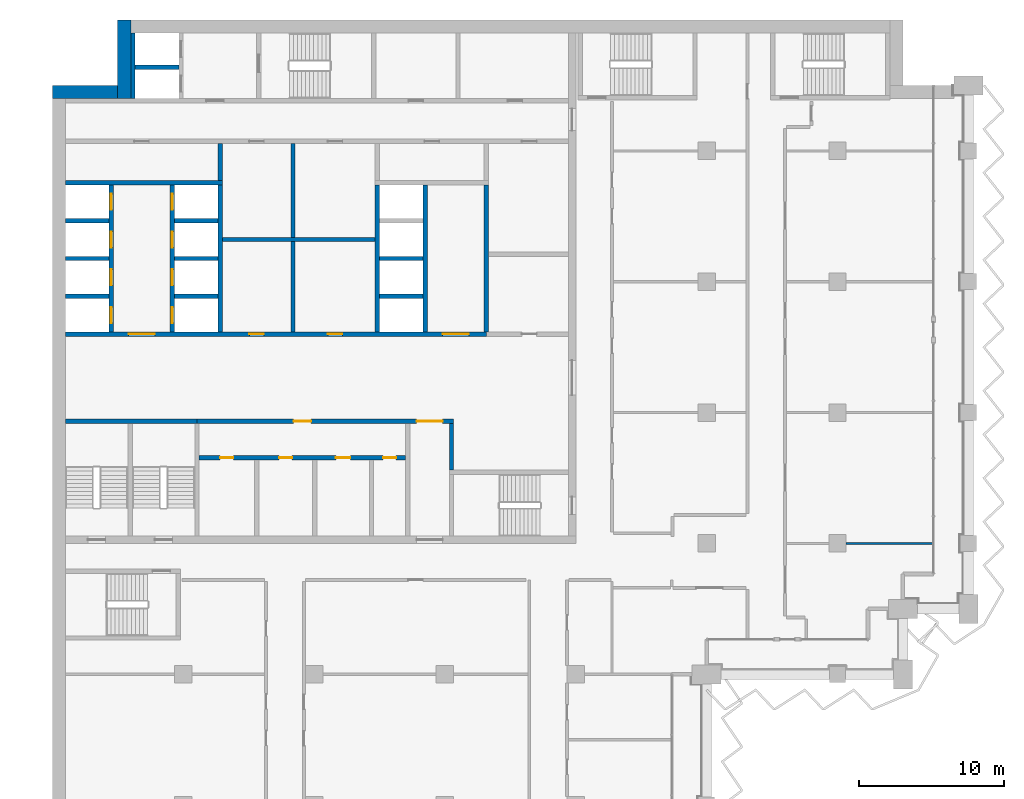
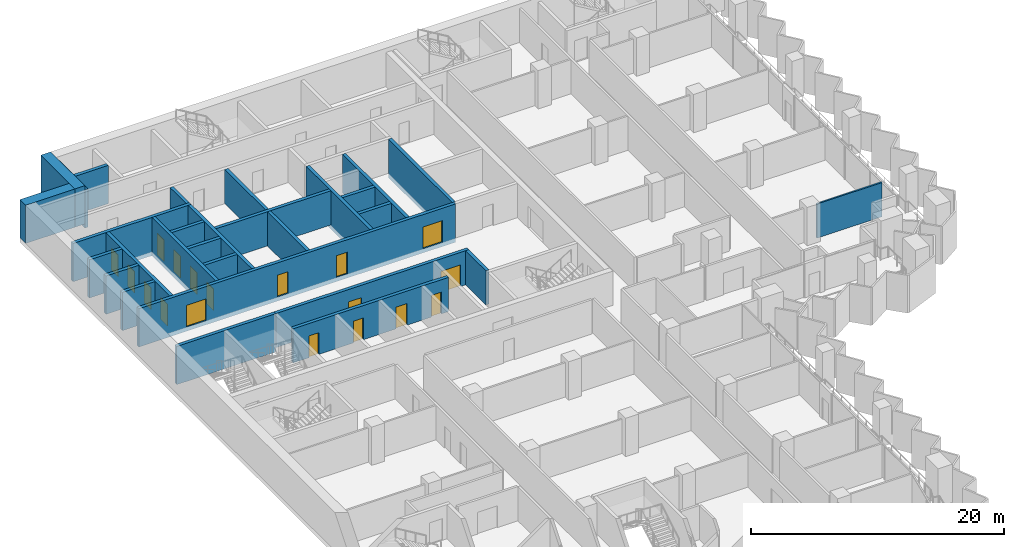
# One storey, part 12 of 22: 28 walls, 18 doors, 18 openings.
"""IFC4 building model written with IfcOpenShell, lengths in metres."""

from ifc_helpers import new_model, si_unit, direction, frame, frame_2d, origin, place, context, subcontext, project, spatial, rectangle, extrude, material, layer, layer_set, type_object, element, fill, save


model = new_model("IFC4")

# Units and contexts
model_context = context("Model", 3, precision=1e-05, world=origin(), true_north=direction((0.0, 1.0)))
body_context = subcontext(model_context, "Body", "Model", "MODEL_VIEW")
ifc_project = project(units=[si_unit("LENGTHUNIT", "METRE"), si_unit("AREAUNIT", "SQUARE_METRE"), si_unit("VOLUMEUNIT", "CUBIC_METRE"), si_unit("PLANEANGLEUNIT", "RADIAN"), si_unit("MASSUNIT", "GRAM", prefix="KILO")], contexts=[model_context])

# Site, building, storey
site_placement = place(None, origin())
site = spatial("IfcSite", under=ifc_project, at=site_placement, CompositionType="ELEMENT")
building_placement = place(site_placement, origin())
building = spatial("IfcBuilding", under=site, at=building_placement, Name="Hunhe Ridgeline Campus", CompositionType="ELEMENT")
storey_placement = place(building_placement, frame((0.0, 0.0, 141.199951171875)))
storey = spatial("IfcBuildingStorey", under=building, at=storey_placement, Name="L35", CompositionType="ELEMENT", Elevation=141.199951171875)

# Wall, openings, doors
ifc_material_1 = material(Name="Masonry concrete blockwork", Category="masonry")
ifc_layer_1 = layer(ifc_material_1, 0.300048828125)
ifc_layer_set_1 = layer_set([ifc_layer_1], Name="Core room partition 300 concrete block")
wall_type_1 = type_object("IfcWallType", Name="Core room partition 300 concrete block", PredefinedType="PARTITIONING", material=ifc_layer_set_1)
wall_1_placement = place(storey_placement, frame((10.10009765625, 68.89990234375, 0.0), z_axis=(0.0, 0.0, 1.0), x_axis=(1.0, 0.0, 0.0)))
wall_1 = element("IfcWall", 1, at=wall_1_placement, inside=storey, type_object=wall_type_1, Name="L35 core partition 9", PredefinedType="PARTITIONING", context=body_context, shape_type="SweptSolid", body=[
    extrude(rectangle(XDim=14.199951171875, YDim=0.300048828125, at=frame_2d((7.10009765625, 0.0))), origin(), (0.0, 0.0, 1.0), 3.300048828125),
])
opening_1_placement = place(wall_1_placement, frame((1.449951171875, 0.0, 0.0)))
opening_1 = element("IfcOpeningElement", 2, at=opening_1_placement, cuts=wall_1, Name="Opening CD8", PredefinedType="OPENING", context=body_context, shape_type="SweptSolid", body=[
    extrude(rectangle(XDim=0.89990234375, YDim=2.10009765625, at=frame_2d((0.449951171875, 1.050048828125))), frame((0.0, 0.14990234375, 0.0), z_axis=(0.0, -1.0, 0.0), x_axis=(1.0, 0.0, 0.0)), (0.0, 0.0, 1.0), 0.300048828125),
])
opening_2_placement = place(wall_1_placement, frame((5.5, 0.0, 0.0)))
opening_2 = element("IfcOpeningElement", 3, at=opening_2_placement, cuts=wall_1, Name="Opening CD9", PredefinedType="OPENING", context=body_context, shape_type="SweptSolid", body=[
    extrude(rectangle(XDim=0.89990234375, YDim=2.10009765625, at=frame_2d((0.449951171875, 1.050048828125))), frame((0.0, 0.14990234375, 0.0), z_axis=(0.0, -1.0, 0.0), x_axis=(1.0, 0.0, 0.0)), (0.0, 0.0, 1.0), 0.300048828125),
])
opening_3_placement = place(wall_1_placement, frame((9.39990234375, 0.0, 0.0)))
opening_3 = element("IfcOpeningElement", 4, at=opening_3_placement, cuts=wall_1, Name="Opening CD10", PredefinedType="OPENING", context=body_context, shape_type="SweptSolid", body=[
    extrude(rectangle(XDim=1.0, YDim=2.10009765625, at=frame_2d((0.5, 1.050048828125))), frame((0.0, 0.14990234375, 0.0), z_axis=(0.0, -1.0, 0.0), x_axis=(1.0, 0.0, 0.0)), (0.0, 0.0, 1.0), 0.300048828125),
])
opening_4_placement = place(wall_1_placement, frame((12.64990234375, 0.0, 0.0)))
opening_4 = element("IfcOpeningElement", 5, at=opening_4_placement, cuts=wall_1, Name="Opening CD11", PredefinedType="OPENING", context=body_context, shape_type="SweptSolid", body=[
    extrude(rectangle(XDim=0.89990234375, YDim=2.10009765625, at=frame_2d((0.449951171875, 1.050048828125))), frame((0.0, 0.14990234375, 0.0), z_axis=(0.0, -1.0, 0.0), x_axis=(1.0, 0.0, 0.0)), (0.0, 0.0, 1.0), 0.300048828125),
])
ifc_material_2 = material(Name="Solid core timber door leaf", Category="wood")
door_type_1 = type_object("IfcDoorType", Name="Timber door 1000x2100", OperationType="SINGLE_SWING_LEFT", PredefinedType="DOOR", material=ifc_material_2)
door_1_placement = place(opening_3_placement, frame((1.0, 0.0, 0.0), z_axis=(0.0, 0.0, 1.0), x_axis=(-1.0, 0.0, 0.0)))
door_1 = element("IfcDoor", 6, at=door_1_placement, inside=storey, type_object=door_type_1, Name="L35 door WC3", OperationType="SINGLE_SWING_RIGHT", OverallHeight=2.10009765625, OverallWidth=1.0, PredefinedType="DOOR", context=body_context, shape_type="SweptSolid", body=[
    extrude(rectangle(XDim=1.0, YDim=2.10009765625, at=frame_2d((0.5, 1.050048828125))), frame((0.0, 0.02490234375, 0.0), z_axis=(0.0, -1.0, 0.0), x_axis=(1.0, 0.0, 0.0)), (0.0, 0.0, 1.0), 0.050048828125),
])
fill(opening_3, door_1)
door_type_2 = type_object("IfcDoorType", Name="Timber door 900x2100", OperationType="SINGLE_SWING_LEFT", PredefinedType="DOOR", material=ifc_material_2)
door_2_placement = place(opening_1_placement, frame((0.89990234375, 0.0, 0.0), z_axis=(0.0, 0.0, 1.0), x_axis=(-1.0, 0.0, 0.0)))
door_2 = element("IfcDoor", 7, at=door_2_placement, inside=storey, type_object=door_type_2, Name="L35 door WC1", OperationType="SINGLE_SWING_RIGHT", OverallHeight=2.10009765625, OverallWidth=0.89990234375, PredefinedType="DOOR", context=body_context, shape_type="SweptSolid", body=[
    extrude(rectangle(XDim=0.89990234375, YDim=2.10009765625, at=frame_2d((0.449951171875, 1.050048828125))), frame((0.0, 0.02490234375, 0.0), z_axis=(0.0, -1.0, 0.0), x_axis=(1.0, 0.0, 0.0)), (0.0, 0.0, 1.0), 0.050048828125),
])
fill(opening_1, door_2)
door_3_placement = place(opening_2_placement, frame((0.89990234375, 0.0, 0.0), z_axis=(0.0, 0.0, 1.0), x_axis=(-1.0, 0.0, 0.0)))
door_3 = element("IfcDoor", 8, at=door_3_placement, inside=storey, type_object=door_type_2, Name="L35 door WC2", OperationType="SINGLE_SWING_LEFT", OverallHeight=2.10009765625, OverallWidth=0.89990234375, PredefinedType="DOOR", context=body_context, shape_type="SweptSolid", body=[
    extrude(rectangle(XDim=0.89990234375, YDim=2.10009765625, at=frame_2d((0.449951171875, 1.050048828125))), frame((0.0, 0.02490234375, 0.0), z_axis=(0.0, -1.0, 0.0), x_axis=(1.0, 0.0, 0.0)), (0.0, 0.0, 1.0), 0.050048828125),
])
fill(opening_2, door_3)
door_4_placement = place(opening_4_placement, frame((0.89990234375, 0.0, 0.0), z_axis=(0.0, 0.0, 1.0), x_axis=(-1.0, 0.0, 0.0)))
door_4 = element("IfcDoor", 9, at=door_4_placement, inside=storey, type_object=door_type_2, Name="L35 door WC4", OperationType="SINGLE_SWING_LEFT", OverallHeight=2.10009765625, OverallWidth=0.89990234375, PredefinedType="DOOR", context=body_context, shape_type="SweptSolid", body=[
    extrude(rectangle(XDim=0.89990234375, YDim=2.10009765625, at=frame_2d((0.449951171875, 1.050048828125))), frame((0.0, 0.02490234375, 0.0), z_axis=(0.0, -1.0, 0.0), x_axis=(1.0, 0.0, 0.0)), (0.0, 0.0, 1.0), 0.050048828125),
])
fill(opening_4, door_4)

wall_2_placement = place(storey_placement, frame((9.949951171875, 71.39990234375, 0.0), z_axis=(0.0, 0.0, 1.0), x_axis=(1.0, 0.0, 0.0)))
wall_2 = element("IfcWall", 10, at=wall_2_placement, inside=storey, type_object=wall_type_1, Name="L35 core partition 11", PredefinedType="PARTITIONING", context=body_context, shape_type="SweptSolid", body=[
    extrude(rectangle(XDim=17.650146484375, YDim=0.300048828125, at=frame_2d((8.8251953125, 0.0))), origin(), (0.0, 0.0, 1.0), 3.300048828125),
])
opening_5_placement = place(wall_2_placement, frame((15.10009765625, 0.0, 0.0)))
opening_5 = element("IfcOpeningElement", 11, at=opening_5_placement, cuts=wall_2, Name="Opening CD7", PredefinedType="OPENING", context=body_context, shape_type="SweptSolid", body=[
    extrude(rectangle(XDim=1.800048828125, YDim=2.10009765625, at=frame_2d((0.89990234375, 1.050048828125))), frame((0.0, 0.14990234375, 0.0), z_axis=(0.0, -1.0, 0.0), x_axis=(1.0, 0.0, 0.0)), (0.0, 0.0, 1.0), 0.300048828125),
])
opening_6_placement = place(wall_2_placement, frame((6.64990234375, 0.0, 0.0)))
opening_6 = element("IfcOpeningElement", 12, at=opening_6_placement, cuts=wall_2, Name="Opening CD37", PredefinedType="OPENING", context=body_context, shape_type="SweptSolid", body=[
    extrude(rectangle(XDim=1.199951171875, YDim=2.10009765625, at=frame_2d((0.60009765625, 1.050048828125))), frame((0.0, 0.14990234375, 0.0), z_axis=(0.0, -1.0, 0.0), x_axis=(1.0, 0.0, 0.0)), (0.0, 0.0, 1.0), 0.300048828125),
])
ifc_material_3 = material(Name="Anodised aluminium and glass", Category="aluminium")
door_type_3 = type_object("IfcDoorType", Name="Glazed double door 1800x2100", OperationType="DOUBLE_DOOR_SINGLE_SWING", PredefinedType="DOOR", material=ifc_material_3)
door_5_placement = place(opening_5_placement, origin())
door_5 = element("IfcDoor", 13, at=door_5_placement, inside=storey, type_object=door_type_3, Name="L35 door VEST-HALL", OperationType="DOUBLE_DOOR_SINGLE_SWING", OverallHeight=2.10009765625, OverallWidth=1.800048828125, PredefinedType="DOOR", context=body_context, shape_type="SweptSolid", body=[
    extrude(rectangle(XDim=1.800048828125, YDim=2.10009765625, at=frame_2d((0.89990234375, 1.050048828125))), frame((0.0, 0.02490234375, 0.0), z_axis=(0.0, -1.0, 0.0), x_axis=(1.0, 0.0, 0.0)), (0.0, 0.0, 1.0), 0.050048828125),
])
fill(opening_5, door_5)
door_type_4 = type_object("IfcDoorType", Name="Timber door 1200x2100", OperationType="SINGLE_SWING_LEFT", PredefinedType="DOOR", material=ifc_material_2)
door_6_placement = place(opening_6_placement, origin())
door_6 = element("IfcDoor", 14, at=door_6_placement, inside=storey, type_object=door_type_4, Name="L35 door WCL1-HALL", OperationType="SINGLE_SWING_LEFT", OverallHeight=2.10009765625, OverallWidth=1.199951171875, PredefinedType="DOOR", context=body_context, shape_type="SweptSolid", body=[
    extrude(rectangle(XDim=1.199951171875, YDim=2.10009765625, at=frame_2d((0.60009765625, 1.050048828125))), frame((0.0, 0.02490234375, 0.0), z_axis=(0.0, -1.0, 0.0), x_axis=(1.0, 0.0, 0.0)), (0.0, 0.0, 1.0), 0.050048828125),
])
fill(opening_6, door_6)

# Walls
wall_3_placement = place(storey_placement, frame((11.699951171875, 83.89990234375, 0.0), z_axis=(0.0, 0.0, 1.0), x_axis=(1.0, 0.0, 0.0)))
element("IfcWall", 15, at=wall_3_placement, inside=storey, type_object=wall_type_1, Name="L35 core partition 21", PredefinedType="PARTITIONING", context=body_context, shape_type="SweptSolid", body=[
    extrude(rectangle(XDim=10.5, YDim=0.300048828125, at=frame_2d((5.25, 0.0))), origin(), (0.0, 0.0, 1.0), 3.300048828125),
])
wall_4_placement = place(storey_placement, frame((11.550048828125, 87.949951171875, 0.0), z_axis=(0.0, 0.0, 1.0), x_axis=(0.0, 1.0, 0.0)))
element("IfcWall", 16, at=wall_4_placement, inside=storey, type_object=wall_type_1, Name="L35 core partition 41", PredefinedType="PARTITIONING", context=body_context, shape_type="SweptSolid", body=[
    extrude(rectangle(XDim=2.550048828125, YDim=0.300048828125, at=frame_2d((1.27490234375, 0.0))), origin(), (0.0, 0.0, 1.0), 3.300048828125),
])
wall_5_placement = place(storey_placement, frame((16.550048828125, 77.550048828125, 0.0), z_axis=(0.0, 0.0, 1.0), x_axis=(0.0, 1.0, 0.0)))
element("IfcWall", 17, at=wall_5_placement, inside=storey, type_object=wall_type_1, Name="L35 core partition 44", PredefinedType="PARTITIONING", context=body_context, shape_type="SweptSolid", body=[
    extrude(rectangle(XDim=12.949951171875, YDim=0.300048828125, at=frame_2d((6.47509765625, 0.0))), origin(), (0.0, 0.0, 1.0), 3.300048828125),
])
wall_6_placement = place(storey_placement, frame((27.449951171875, 68.050048828125, 0.0), z_axis=(0.0, 0.0, 1.0), x_axis=(0.0, 1.0, 0.0)))
element("IfcWall", 18, at=wall_6_placement, inside=storey, type_object=wall_type_1, Name="L35 core partition 55", PredefinedType="PARTITIONING", context=body_context, shape_type="SweptSolid", body=[
    extrude(rectangle(XDim=3.199951171875, YDim=0.300048828125, at=frame_2d((1.60009765625, 0.0))), origin(), (0.0, 0.0, 1.0), 3.300048828125),
])
ifc_material_4 = material(Name="Concrete C70", Category="concrete")
ifc_layer_2 = layer(ifc_material_4, 0.300048828125)
ifc_layer_set_2 = layer_set([ifc_layer_2], Name="Lobby wall 300 reinforced concrete C70")
wall_type_2 = type_object("IfcWallType", Name="Lobby wall 300 reinforced concrete C70", PredefinedType="SOLIDWALL", material=ifc_layer_set_2)
wall_7_placement = place(storey_placement, frame((29.85009765625, 77.550048828125, -0.39990234375), z_axis=(0.0, 0.0, 1.0), x_axis=(0.0, 1.0, 0.0)))
element("IfcWall", 19, at=wall_7_placement, inside=storey, type_object=wall_type_2, Name="L35 core wall 57", PredefinedType="SOLIDWALL", context=body_context, shape_type="SweptSolid", body=[
    extrude(rectangle(XDim=10.099853515625, YDim=0.300048828125, at=frame_2d((5.0498046875, 0.0))), origin(), (0.0, 0.0, 1.0), 3.699951171875),
])
ifc_material_5 = material(Name="Gypsum board partition")
ifc_layer_3 = layer(ifc_material_5, 0.14990234375)
ifc_layer_set_3 = layer_set([ifc_layer_3], Name="Room partition 150 gypsum board on steel studs")
wall_type_3 = type_object("IfcWallType", Name="Room partition 150 gypsum board on steel studs", PredefinedType="PARTITIONING", material=ifc_layer_set_3)
wall_8_placement = place(storey_placement, frame((54.60009765625, 63.0, 0.0), z_axis=(0.0, 0.0, 1.0), x_axis=(1.0, 0.0, 0.0)))
element("IfcWall", 20, at=wall_8_placement, inside=storey, type_object=wall_type_3, Name="F-L35-wall-043", PredefinedType="PARTITIONING", context=body_context, shape_type="SweptSolid", body=[
    extrude(rectangle(XDim=5.94482421875, YDim=0.14990234375, at=frame_2d((2.972412109375, 0.0))), origin(), (0.0, 0.0, 1.0), 3.300048828125),
])

# Wall, openings, doors
ifc_layer_4 = layer(ifc_material_4, 0.300048828125)
ifc_layer_set_4 = layer_set([ifc_layer_4], Name="Shaft wall 300 reinforced concrete C70")
wall_type_4 = type_object("IfcWallType", Name="Shaft wall 300 reinforced concrete C70", PredefinedType="SOLIDWALL", material=ifc_layer_set_4)
wall_9_placement = place(storey_placement, frame((0.89990234375, 77.39990234375, -0.39990234375), z_axis=(0.0, 0.0, 1.0), x_axis=(1.0, 0.0, 0.0)))
wall_9 = element("IfcWall", 21, at=wall_9_placement, inside=storey, type_object=wall_type_4, Name="L35 core wall 12", PredefinedType="SOLIDWALL", context=body_context, shape_type="SweptSolid", body=[
    extrude(rectangle(XDim=28.9501953125, YDim=0.300048828125, at=frame_2d((14.47509765625, 0.0))), origin(), (0.0, 0.0, 1.0), 3.699951171875),
])
opening_7_placement = place(wall_9_placement, frame((4.35009765625, 0.0, 0.39990234375)))
opening_7 = element("IfcOpeningElement", 22, at=opening_7_placement, cuts=wall_9, Name="Opening CD1", PredefinedType="OPENING", context=body_context, shape_type="SweptSolid", body=[
    extrude(rectangle(XDim=1.800048828125, YDim=2.10009765625, at=frame_2d((0.89990234375, 1.050048828125))), frame((0.0, 0.14990234375, 0.0), z_axis=(0.0, -1.0, 0.0), x_axis=(1.0, 0.0, 0.0)), (0.0, 0.0, 1.0), 0.300048828125),
])
opening_8_placement = place(wall_9_placement, frame((25.949951171875, 0.0, 0.39990234375)))
opening_8 = element("IfcOpeningElement", 23, at=opening_8_placement, cuts=wall_9, Name="Opening CD2", PredefinedType="OPENING", context=body_context, shape_type="SweptSolid", body=[
    extrude(rectangle(XDim=1.800048828125, YDim=2.10009765625, at=frame_2d((0.89990234375, 1.050048828125))), frame((0.0, 0.14990234375, 0.0), z_axis=(0.0, -1.0, 0.0), x_axis=(1.0, 0.0, 0.0)), (0.0, 0.0, 1.0), 0.300048828125),
])
opening_9_placement = place(wall_9_placement, frame((12.64990234375, 0.0, 0.39990234375)))
opening_9 = element("IfcOpeningElement", 24, at=opening_9_placement, cuts=wall_9, Name="Opening CD28", PredefinedType="OPENING", context=body_context, shape_type="SweptSolid", body=[
    extrude(rectangle(XDim=1.0, YDim=2.10009765625, at=frame_2d((0.5, 1.050048828125))), frame((0.0, 0.14990234375, 0.0), z_axis=(0.0, -1.0, 0.0), x_axis=(1.0, 0.0, 0.0)), (0.0, 0.0, 1.0), 0.300048828125),
])
opening_10_placement = place(wall_9_placement, frame((18.050048828125, 0.0, 0.39990234375)))
opening_10 = element("IfcOpeningElement", 25, at=opening_10_placement, cuts=wall_9, Name="Opening CD30", PredefinedType="OPENING", context=body_context, shape_type="SweptSolid", body=[
    extrude(rectangle(XDim=1.0, YDim=2.10009765625, at=frame_2d((0.5, 1.050048828125))), frame((0.0, 0.14990234375, 0.0), z_axis=(0.0, -1.0, 0.0), x_axis=(1.0, 0.0, 0.0)), (0.0, 0.0, 1.0), 0.300048828125),
])
ifc_material_6 = material(Name="Hollow metal fire door leaf")
door_type_5 = type_object("IfcDoorType", Name="Lobby door 1800x2100 FD60", OperationType="SINGLE_SWING_LEFT", PredefinedType="DOOR", material=ifc_material_6)
door_7_placement = place(opening_7_placement, frame((1.800048828125, 0.0, 0.0), z_axis=(0.0, 0.0, 1.0), x_axis=(-1.0, 0.0, 0.0)))
door_7 = element("IfcDoor", 26, at=door_7_placement, inside=storey, type_object=door_type_5, Name="L35 door LOB-LR", OperationType="SINGLE_SWING_RIGHT", OverallHeight=2.10009765625, OverallWidth=1.800048828125, PredefinedType="DOOR", context=body_context, shape_type="SweptSolid", body=[
    extrude(rectangle(XDim=1.800048828125, YDim=2.10009765625, at=frame_2d((0.89990234375, 1.050048828125))), frame((0.0, 0.02490234375, 0.0), z_axis=(0.0, -1.0, 0.0), x_axis=(1.0, 0.0, 0.0)), (0.0, 0.0, 1.0), 0.050048828125),
])
fill(opening_7, door_7)
door_8_placement = place(opening_8_placement, frame((1.800048828125, 0.0, 0.0), z_axis=(0.0, 0.0, 1.0), x_axis=(-1.0, 0.0, 0.0)))
door_8 = element("IfcDoor", 27, at=door_8_placement, inside=storey, type_object=door_type_5, Name="L35 door LOB-SH", OperationType="SINGLE_SWING_LEFT", OverallHeight=2.10009765625, OverallWidth=1.800048828125, PredefinedType="DOOR", context=body_context, shape_type="SweptSolid", body=[
    extrude(rectangle(XDim=1.800048828125, YDim=2.10009765625, at=frame_2d((0.89990234375, 1.050048828125))), frame((0.0, 0.02490234375, 0.0), z_axis=(0.0, -1.0, 0.0), x_axis=(1.0, 0.0, 0.0)), (0.0, 0.0, 1.0), 0.050048828125),
])
fill(opening_8, door_8)
door_9_placement = place(opening_9_placement, origin())
door_9 = element("IfcDoor", 28, at=door_9_placement, inside=storey, type_object=door_type_1, Name="L35 door VD-HR0", OperationType="SINGLE_SWING_RIGHT", OverallHeight=2.10009765625, OverallWidth=1.0, PredefinedType="DOOR", context=body_context, shape_type="SweptSolid", body=[
    extrude(rectangle(XDim=1.0, YDim=2.10009765625, at=frame_2d((0.5, 1.050048828125))), frame((0.0, 0.02490234375, 0.0), z_axis=(0.0, -1.0, 0.0), x_axis=(1.0, 0.0, 0.0)), (0.0, 0.0, 1.0), 0.050048828125),
])
fill(opening_9, door_9)
door_10_placement = place(opening_10_placement, origin())
door_10 = element("IfcDoor", 29, at=door_10_placement, inside=storey, type_object=door_type_1, Name="L35 door VD-HR2", OperationType="SINGLE_SWING_RIGHT", OverallHeight=2.10009765625, OverallWidth=1.0, PredefinedType="DOOR", context=body_context, shape_type="SweptSolid", body=[
    extrude(rectangle(XDim=1.0, YDim=2.10009765625, at=frame_2d((0.5, 1.050048828125))), frame((0.0, 0.02490234375, 0.0), z_axis=(0.0, -1.0, 0.0), x_axis=(1.0, 0.0, 0.0)), (0.0, 0.0, 1.0), 0.050048828125),
])
fill(opening_10, door_10)

# Walls
for number, where, z_axis, x_axis, name in (
    (30, (0.89990234375, 80.0, -0.39990234375), (0.0, 0.0, 1.0), (1.0, 0.0, 0.0), "L35 core wall 14"),
    (31, (8.39990234375, 80.0, -0.39990234375), (0.0, 0.0, 1.0), (1.0, 0.0, 0.0), "L35 core wall 15"),
    (32, (22.5, 80.0, -0.39990234375), (0.0, 0.0, 1.0), (1.0, 0.0, 0.0), "L35 core wall 16"),
    (33, (0.89990234375, 82.60009765625, -0.39990234375), (0.0, 0.0, 1.0), (1.0, 0.0, 0.0), "L35 core wall 17"),
    (34, (8.39990234375, 82.60009765625, -0.39990234375), (0.0, 0.0, 1.0), (1.0, 0.0, 0.0), "L35 core wall 18"),
    (35, (22.5, 82.60009765625, -0.39990234375), (0.0, 0.0, 1.0), (1.0, 0.0, 0.0), "L35 core wall 19"),
    (36, (0.89990234375, 85.199951171875, -0.39990234375), (0.0, 0.0, 1.0), (1.0, 0.0, 0.0), "L35 core wall 22"),
    (37, (8.39990234375, 85.199951171875, -0.39990234375), (0.0, 0.0, 1.0), (1.0, 0.0, 0.0), "L35 core wall 23"),
):
    element("IfcWall", number, at=place(storey_placement, frame(where, z_axis=z_axis, x_axis=x_axis)), inside=storey, type_object=wall_type_4, Name=name, PredefinedType="SOLIDWALL", context=body_context, shape_type="SweptSolid", body=[
        extrude(rectangle(XDim=3.0, YDim=0.300048828125, at=frame_2d((1.5, 0.0))), origin(), (0.0, 0.0, 1.0), 3.699951171875),
    ])
wall_10_placement = place(storey_placement, frame((0.89990234375, 87.800048828125, -0.39990234375), z_axis=(0.0, 0.0, 1.0), x_axis=(1.0, 0.0, 0.0)))
element("IfcWall", 38, at=wall_10_placement, inside=storey, type_object=wall_type_4, Name="L35 core wall 25", PredefinedType="SOLIDWALL", context=body_context, shape_type="SweptSolid", body=[
    extrude(rectangle(XDim=10.800048828125, YDim=0.300048828125, at=frame_2d((5.39990234375, 0.0))), origin(), (0.0, 0.0, 1.0), 3.699951171875),
])
wall_11_placement = place(storey_placement, frame((5.699951171875, 95.75, -0.39990234375), z_axis=(0.0, 0.0, 1.0), x_axis=(1.0, 0.0, 0.0)))
element("IfcWall", 39, at=wall_11_placement, inside=storey, type_object=wall_type_4, Name="L35 core wall 31", PredefinedType="SOLIDWALL", context=body_context, shape_type="SweptSolid", body=[
    extrude(rectangle(XDim=3.0, YDim=0.300048828125, at=frame_2d((1.5, 0.0))), origin(), (0.0, 0.0, 1.0), 3.699951171875),
])

# Wall, openings, doors
wall_12_placement = place(storey_placement, frame((4.050048828125, 77.550048828125, -0.39990234375), z_axis=(0.0, 0.0, 1.0), x_axis=(0.0, 1.0, 0.0)))
wall_12 = element("IfcWall", 40, at=wall_12_placement, inside=storey, type_object=wall_type_4, Name="L35 core wall 32", PredefinedType="SOLIDWALL", context=body_context, shape_type="SweptSolid", body=[
    extrude(rectangle(XDim=10.099853515625, YDim=0.300048828125, at=frame_2d((5.0498046875, 0.0))), origin(), (0.0, 0.0, 1.0), 3.699951171875),
])
opening_11_placement = place(wall_12_placement, frame((0.60009765625, 0.0, 0.39990234375)))
opening_11 = element("IfcOpeningElement", 41, at=opening_11_placement, cuts=wall_12, Name="Opening LD-LR1", PredefinedType="OPENING", context=body_context, shape_type="SweptSolid", body=[
    extrude(rectangle(XDim=1.10009765625, YDim=2.10009765625, at=frame_2d((0.550048828125, 1.050048828125))), frame((0.0, 0.14990234375, 0.0), z_axis=(0.0, -1.0, 0.0), x_axis=(1.0, 0.0, 0.0)), (0.0, 0.0, 1.0), 0.300048828125),
])
opening_12_placement = place(wall_12_placement, frame((3.199951171875, 0.0, 0.39990234375)))
opening_12 = element("IfcOpeningElement", 42, at=opening_12_placement, cuts=wall_12, Name="Opening LD-LR2", PredefinedType="OPENING", context=body_context, shape_type="SweptSolid", body=[
    extrude(rectangle(XDim=1.10009765625, YDim=2.10009765625, at=frame_2d((0.550048828125, 1.050048828125))), frame((0.0, 0.14990234375, 0.0), z_axis=(0.0, -1.0, 0.0), x_axis=(1.0, 0.0, 0.0)), (0.0, 0.0, 1.0), 0.300048828125),
])
opening_13_placement = place(wall_12_placement, frame((5.800048828125, 0.0, 0.39990234375)))
opening_13 = element("IfcOpeningElement", 43, at=opening_13_placement, cuts=wall_12, Name="Opening LD-LR3", PredefinedType="OPENING", context=body_context, shape_type="SweptSolid", body=[
    extrude(rectangle(XDim=1.10009765625, YDim=2.10009765625, at=frame_2d((0.550048828125, 1.050048828125))), frame((0.0, 0.14990234375, 0.0), z_axis=(0.0, -1.0, 0.0), x_axis=(1.0, 0.0, 0.0)), (0.0, 0.0, 1.0), 0.300048828125),
])
opening_14_placement = place(wall_12_placement, frame((8.39990234375, 0.0, 0.39990234375)))
opening_14 = element("IfcOpeningElement", 44, at=opening_14_placement, cuts=wall_12, Name="Opening LD-LR4", PredefinedType="OPENING", context=body_context, shape_type="SweptSolid", body=[
    extrude(rectangle(XDim=1.10009765625, YDim=2.10009765625, at=frame_2d((0.550048828125, 1.050048828125))), frame((0.0, 0.14990234375, 0.0), z_axis=(0.0, -1.0, 0.0), x_axis=(1.0, 0.0, 0.0)), (0.0, 0.0, 1.0), 0.300048828125),
])
ifc_material_7 = material(Name="Stainless steel sliding leaves", Category="steel")
door_type_6 = type_object("IfcDoorType", Name="Landing door 1100x2100 FD120", OperationType="SLIDING_TO_LEFT", PredefinedType="DOOR", material=ifc_material_7)
door_11_placement = place(opening_11_placement, origin())
door_11 = element("IfcDoor", 45, at=door_11_placement, inside=storey, type_object=door_type_6, Name="L35 landing door LR1", OperationType="SLIDING_TO_RIGHT", OverallHeight=2.10009765625, OverallWidth=1.10009765625, PredefinedType="DOOR", context=body_context, shape_type="SweptSolid", body=[
    extrude(rectangle(XDim=1.10009765625, YDim=2.10009765625, at=frame_2d((0.550048828125, 1.050048828125))), frame((0.0, 0.02490234375, 0.0), z_axis=(0.0, -1.0, 0.0), x_axis=(1.0, 0.0, 0.0)), (0.0, 0.0, 1.0), 0.050048828125),
])
fill(opening_11, door_11)
door_12_placement = place(opening_12_placement, origin())
door_12 = element("IfcDoor", 46, at=door_12_placement, inside=storey, type_object=door_type_6, Name="L35 landing door LR2", OperationType="SLIDING_TO_LEFT", OverallHeight=2.10009765625, OverallWidth=1.10009765625, PredefinedType="DOOR", context=body_context, shape_type="SweptSolid", body=[
    extrude(rectangle(XDim=1.10009765625, YDim=2.10009765625, at=frame_2d((0.550048828125, 1.050048828125))), frame((0.0, 0.02490234375, 0.0), z_axis=(0.0, -1.0, 0.0), x_axis=(1.0, 0.0, 0.0)), (0.0, 0.0, 1.0), 0.050048828125),
])
fill(opening_12, door_12)
door_13_placement = place(opening_13_placement, origin())
door_13 = element("IfcDoor", 47, at=door_13_placement, inside=storey, type_object=door_type_6, Name="L35 landing door LR3", OperationType="SLIDING_TO_RIGHT", OverallHeight=2.10009765625, OverallWidth=1.10009765625, PredefinedType="DOOR", context=body_context, shape_type="SweptSolid", body=[
    extrude(rectangle(XDim=1.10009765625, YDim=2.10009765625, at=frame_2d((0.550048828125, 1.050048828125))), frame((0.0, 0.02490234375, 0.0), z_axis=(0.0, -1.0, 0.0), x_axis=(1.0, 0.0, 0.0)), (0.0, 0.0, 1.0), 0.050048828125),
])
fill(opening_13, door_13)
door_14_placement = place(opening_14_placement, origin())
door_14 = element("IfcDoor", 48, at=door_14_placement, inside=storey, type_object=door_type_6, Name="L35 landing door LR4", OperationType="SLIDING_TO_LEFT", OverallHeight=2.10009765625, OverallWidth=1.10009765625, PredefinedType="DOOR", context=body_context, shape_type="SweptSolid", body=[
    extrude(rectangle(XDim=1.10009765625, YDim=2.10009765625, at=frame_2d((0.550048828125, 1.050048828125))), frame((0.0, 0.02490234375, 0.0), z_axis=(0.0, -1.0, 0.0), x_axis=(1.0, 0.0, 0.0)), (0.0, 0.0, 1.0), 0.050048828125),
])
fill(opening_14, door_14)

# Wall
wall_13_placement = place(storey_placement, frame((5.550048828125, 93.60009765625, -0.39990234375), z_axis=(0.0, 0.0, 1.0), x_axis=(0.0, 1.0, 0.0)))
element("IfcWall", 49, at=wall_13_placement, inside=storey, type_object=wall_type_4, Name="L35 core wall 34", PredefinedType="SOLIDWALL", context=body_context, shape_type="SweptSolid", body=[
    extrude(rectangle(XDim=4.5, YDim=0.300048828125, at=frame_2d((2.25, 0.0))), origin(), (0.0, 0.0, 1.0), 3.699951171875),
])

# Wall, openings, doors
wall_14_placement = place(storey_placement, frame((8.25, 77.550048828125, -0.39990234375), z_axis=(0.0, 0.0, 1.0), x_axis=(0.0, 1.0, 0.0)))
wall_14 = element("IfcWall", 50, at=wall_14_placement, inside=storey, type_object=wall_type_4, Name="L35 core wall 35", PredefinedType="SOLIDWALL", context=body_context, shape_type="SweptSolid", body=[
    extrude(rectangle(XDim=10.099853515625, YDim=0.300048828125, at=frame_2d((5.0498046875, 0.0))), origin(), (0.0, 0.0, 1.0), 3.699951171875),
])
opening_15_placement = place(wall_14_placement, frame((0.60009765625, 0.0, 0.39990234375)))
opening_15 = element("IfcOpeningElement", 51, at=opening_15_placement, cuts=wall_14, Name="Opening LD-LR5", PredefinedType="OPENING", context=body_context, shape_type="SweptSolid", body=[
    extrude(rectangle(XDim=1.10009765625, YDim=2.10009765625, at=frame_2d((0.550048828125, 1.050048828125))), frame((0.0, 0.14990234375, 0.0), z_axis=(0.0, -1.0, 0.0), x_axis=(1.0, 0.0, 0.0)), (0.0, 0.0, 1.0), 0.300048828125),
])
opening_16_placement = place(wall_14_placement, frame((3.199951171875, 0.0, 0.39990234375)))
opening_16 = element("IfcOpeningElement", 52, at=opening_16_placement, cuts=wall_14, Name="Opening LD-LR6", PredefinedType="OPENING", context=body_context, shape_type="SweptSolid", body=[
    extrude(rectangle(XDim=1.10009765625, YDim=2.10009765625, at=frame_2d((0.550048828125, 1.050048828125))), frame((0.0, 0.14990234375, 0.0), z_axis=(0.0, -1.0, 0.0), x_axis=(1.0, 0.0, 0.0)), (0.0, 0.0, 1.0), 0.300048828125),
])
opening_17_placement = place(wall_14_placement, frame((5.800048828125, 0.0, 0.39990234375)))
opening_17 = element("IfcOpeningElement", 53, at=opening_17_placement, cuts=wall_14, Name="Opening LD-LR7", PredefinedType="OPENING", context=body_context, shape_type="SweptSolid", body=[
    extrude(rectangle(XDim=1.10009765625, YDim=2.10009765625, at=frame_2d((0.550048828125, 1.050048828125))), frame((0.0, 0.14990234375, 0.0), z_axis=(0.0, -1.0, 0.0), x_axis=(1.0, 0.0, 0.0)), (0.0, 0.0, 1.0), 0.300048828125),
])
opening_18_placement = place(wall_14_placement, frame((8.39990234375, 0.0, 0.39990234375)))
opening_18 = element("IfcOpeningElement", 54, at=opening_18_placement, cuts=wall_14, Name="Opening LD-LR8", PredefinedType="OPENING", context=body_context, shape_type="SweptSolid", body=[
    extrude(rectangle(XDim=1.10009765625, YDim=2.10009765625, at=frame_2d((0.550048828125, 1.050048828125))), frame((0.0, 0.14990234375, 0.0), z_axis=(0.0, -1.0, 0.0), x_axis=(1.0, 0.0, 0.0)), (0.0, 0.0, 1.0), 0.300048828125),
])
door_15_placement = place(opening_15_placement, origin())
door_15 = element("IfcDoor", 55, at=door_15_placement, inside=storey, type_object=door_type_6, Name="L35 landing door LR5", OperationType="SLIDING_TO_RIGHT", OverallHeight=2.10009765625, OverallWidth=1.10009765625, PredefinedType="DOOR", context=body_context, shape_type="SweptSolid", body=[
    extrude(rectangle(XDim=1.10009765625, YDim=2.10009765625, at=frame_2d((0.550048828125, 1.050048828125))), frame((0.0, 0.02490234375, 0.0), z_axis=(0.0, -1.0, 0.0), x_axis=(1.0, 0.0, 0.0)), (0.0, 0.0, 1.0), 0.050048828125),
])
fill(opening_15, door_15)
door_16_placement = place(opening_16_placement, origin())
door_16 = element("IfcDoor", 56, at=door_16_placement, inside=storey, type_object=door_type_6, Name="L35 landing door LR6", OperationType="SLIDING_TO_LEFT", OverallHeight=2.10009765625, OverallWidth=1.10009765625, PredefinedType="DOOR", context=body_context, shape_type="SweptSolid", body=[
    extrude(rectangle(XDim=1.10009765625, YDim=2.10009765625, at=frame_2d((0.550048828125, 1.050048828125))), frame((0.0, 0.02490234375, 0.0), z_axis=(0.0, -1.0, 0.0), x_axis=(1.0, 0.0, 0.0)), (0.0, 0.0, 1.0), 0.050048828125),
])
fill(opening_16, door_16)
door_17_placement = place(opening_17_placement, origin())
door_17 = element("IfcDoor", 57, at=door_17_placement, inside=storey, type_object=door_type_6, Name="L35 landing door LR7", OperationType="SLIDING_TO_RIGHT", OverallHeight=2.10009765625, OverallWidth=1.10009765625, PredefinedType="DOOR", context=body_context, shape_type="SweptSolid", body=[
    extrude(rectangle(XDim=1.10009765625, YDim=2.10009765625, at=frame_2d((0.550048828125, 1.050048828125))), frame((0.0, 0.02490234375, 0.0), z_axis=(0.0, -1.0, 0.0), x_axis=(1.0, 0.0, 0.0)), (0.0, 0.0, 1.0), 0.050048828125),
])
fill(opening_17, door_17)
door_18_placement = place(opening_18_placement, origin())
door_18 = element("IfcDoor", 58, at=door_18_placement, inside=storey, type_object=door_type_6, Name="L35 landing door LR8", OperationType="SLIDING_TO_LEFT", OverallHeight=2.10009765625, OverallWidth=1.10009765625, PredefinedType="DOOR", context=body_context, shape_type="SweptSolid", body=[
    extrude(rectangle(XDim=1.10009765625, YDim=2.10009765625, at=frame_2d((0.550048828125, 1.050048828125))), frame((0.0, 0.02490234375, 0.0), z_axis=(0.0, -1.0, 0.0), x_axis=(1.0, 0.0, 0.0)), (0.0, 0.0, 1.0), 0.050048828125),
])
fill(opening_18, door_18)

# Walls
for number, where, z_axis, x_axis, name in (
    (59, (11.550048828125, 77.550048828125, -0.39990234375), (0.0, 0.0, 1.0), (0.0, 1.0, 0.0), "L35 core wall 40"),
    (60, (22.35009765625, 77.550048828125, -0.39990234375), (0.0, 0.0, 1.0), (0.0, 1.0, 0.0), "L35 core wall 49"),
    (61, (25.64990234375, 77.550048828125, -0.39990234375), (0.0, 0.0, 1.0), (0.0, 1.0, 0.0), "L35 core wall 53"),
):
    element("IfcWall", number, at=place(storey_placement, frame(where, z_axis=z_axis, x_axis=x_axis)), inside=storey, type_object=wall_type_4, Name=name, PredefinedType="SOLIDWALL", context=body_context, shape_type="SweptSolid", body=[
        extrude(rectangle(XDim=10.099853515625, YDim=0.300048828125, at=frame_2d((5.0498046875, 0.0))), origin(), (0.0, 0.0, 1.0), 3.699951171875),
    ])
ifc_layer_5 = layer(ifc_material_4, 0.89990234375)
ifc_layer_set_5 = layer_set([ifc_layer_5], Name="Spine wall 900 Concrete C70")
wall_type_5 = type_object("IfcWallType", Name="Spine wall 900 Concrete C70", PredefinedType="SHEAR", material=ifc_layer_set_5)
for number, where, z_axis, x_axis, name in (
    (62, (4.949951171875, 99.0, 0.0), (0.0, 0.0, 1.0), (0.0, -1.0, 0.0), "Spine wall SW2-5 L35"),
    (63, (5.400146484375, 94.050048828125, 0.0), (0.0, 0.0, 1.0), (-1.0, 0.0, 0.0), "Spine wall SW2-6 L35"),
):
    element("IfcWall", number, at=place(storey_placement, frame(where, z_axis=z_axis, x_axis=x_axis)), inside=storey, type_object=wall_type_5, Name=name, PredefinedType="SHEAR", context=body_context, shape_type="SweptSolid", body=[
        extrude(rectangle(XDim=5.400146484375, YDim=0.89990234375, at=frame_2d((2.7001953125, 0.0))), origin(), (0.0, 0.0, 1.0), 3.699951171875),
    ])
ifc_layer_6 = layer(ifc_material_4, 0.300048828125)
ifc_layer_set_6 = layer_set([ifc_layer_6], Name="Stair wall 300 reinforced concrete C70")
wall_type_6 = type_object("IfcWallType", Name="Stair wall 300 reinforced concrete C70", PredefinedType="SOLIDWALL", material=ifc_layer_set_6)
wall_15_placement = place(storey_placement, frame((0.89990234375, 71.39990234375, -0.39990234375), z_axis=(0.0, 0.0, 1.0), x_axis=(1.0, 0.0, 0.0)))
element("IfcWall", 64, at=wall_15_placement, inside=storey, type_object=wall_type_6, Name="L35 core wall 10", PredefinedType="SOLIDWALL", context=body_context, shape_type="SweptSolid", body=[
    extrude(rectangle(XDim=9.050048828125, YDim=0.300048828125, at=frame_2d((4.52490234375, 0.0))), origin(), (0.0, 0.0, 1.0), 3.699951171875),
])

save(model, "model.ifc")
